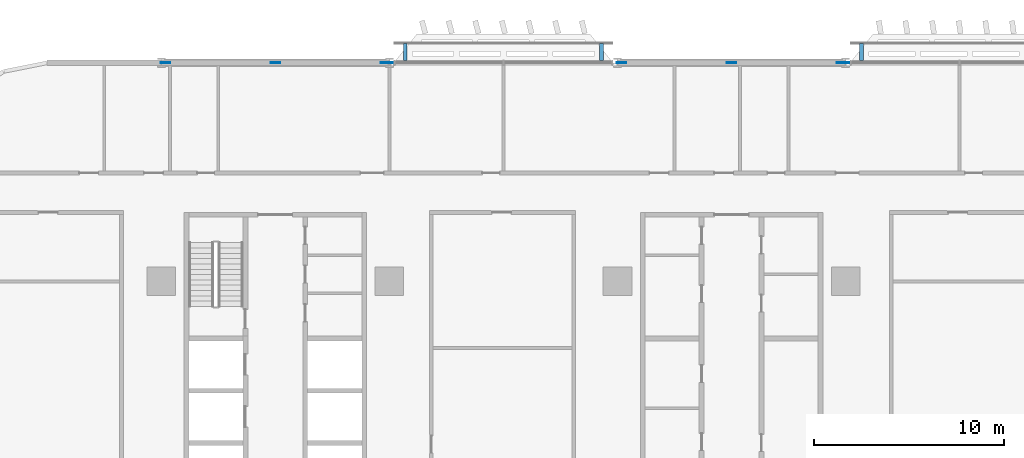
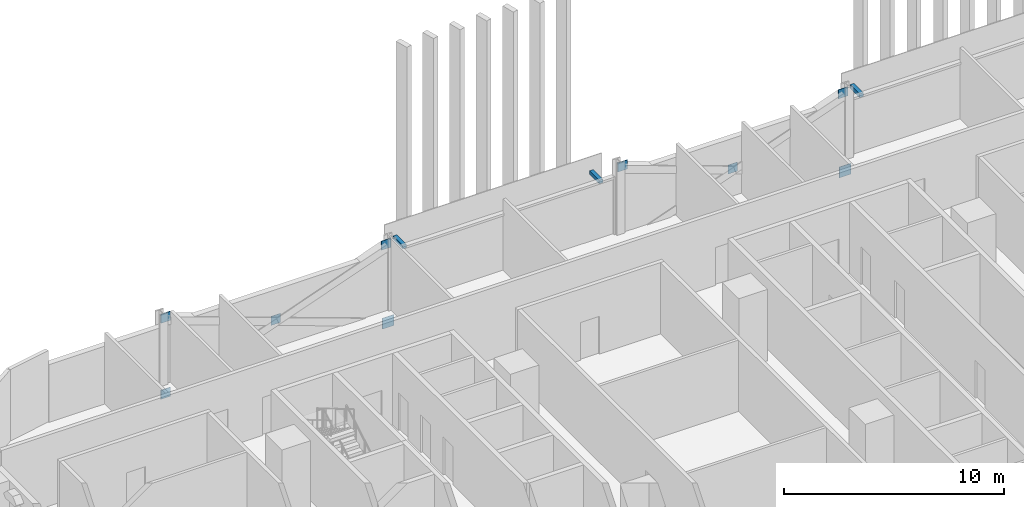
# One storey, part 18 of 29: 12 discrete accessories.
"""IFC4 building model written with IfcOpenShell, lengths in metres."""

from ifc_helpers import new_model, si_unit, direction, frame, origin, origin_2d, place, context, subcontext, project, spatial, rectangle, extrude, material, layer, layer_set, type_object, element, save


model = new_model("IFC4")

# Units and contexts
model_context = context("Model", 3, precision=1e-05, world=origin(), true_north=direction((0.0, 1.0)))
body_context = subcontext(model_context, "Body", "Model", "MODEL_VIEW")
ifc_project = project(units=[si_unit("LENGTHUNIT", "METRE"), si_unit("AREAUNIT", "SQUARE_METRE"), si_unit("VOLUMEUNIT", "CUBIC_METRE"), si_unit("PLANEANGLEUNIT", "RADIAN"), si_unit("MASSUNIT", "GRAM", prefix="KILO")], contexts=[model_context])

# Site, building, storey
site_placement = place(None, origin())
site = spatial("IfcSite", under=ifc_project, at=site_placement, CompositionType="ELEMENT")
building_placement = place(site_placement, origin())
building = spatial("IfcBuilding", under=site, at=building_placement, Name="Mahtab Terrace Research Tower", CompositionType="ELEMENT")
storey_placement = place(building_placement, frame((0.0, 0.0, 46.0)))
storey = spatial("IfcBuildingStorey", under=building, at=storey_placement, Name="L10", CompositionType="ELEMENT", Elevation=46.0)

# Discrete accessories
ifc_material_1 = material(Name="Black anodised aluminium", Category="aluminium")
discrete_accessory_type_1 = type_object("IfcDiscreteAccessoryType", Name="Facade bracket", PredefinedType="BRACKET", material=ifc_material_1)
for number, where, z_axis, x_axis, name in (
    (1, (6.837890625, 23.5625, 2.9033203125), (0.0, 0.0, 1.0), (-1.0, 0.0, 0.0), "Screen bracket Girih screen L10 N7"),
    (2, (-6.837890625, 23.5625, 2.9033203125), (0.0, 0.0, 1.0), (-1.0, 0.0, 0.0), "Screen bracket Girih screen L10 N9"),
    (3, (-17.162109375, 23.5625, 2.9033203125), (0.0, 0.0, 1.0), (-1.0, 0.0, 0.0), "Screen bracket Girih screen L10 N9"),
):
    element("IfcDiscreteAccessory", number, at=place(storey_placement, frame(where, z_axis=z_axis, x_axis=x_axis)), inside=storey, type_object=discrete_accessory_type_1, Name=name, PredefinedType="BRACKET", context=body_context, shape_type="SweptSolid", body=[
        extrude(rectangle(XDim=0.199951171875, YDim=0.875, at=origin_2d()), origin(), (0.0, 0.0, 1.0), 0.199951171875),
    ])
ifc_material_2 = material(Name="Steel ASTM A992 Gr 50", Category="steel")
ifc_layer_1 = layer(ifc_material_2, 0.030029296875)
ifc_layer_set_1 = layer_set([ifc_layer_1], Name="Gusset plate 500x500x30")
discrete_accessory_type_2 = type_object("IfcDiscreteAccessoryType", Name="Gusset plate 500x500x30", PredefinedType="USERDEFINED", material=ifc_layer_set_1)
for number, where, z_axis, x_axis, name in (
    (4, (-29.787841796875, 23.0, -0.892333984375), (0.0, 0.0, 1.0), (1.0, 0.0, 0.0), "Gusset plate"),
    (5, (-29.787841796875, 23.0, 3.33154296875), (0.0, 0.0, 1.0), (1.0, 0.0, 0.0), "Gusset plate"),
    (6, (-24.0, 23.0, 1.181396484375), (0.0, 0.0, 1.0), (1.0, 0.0, 0.0), "Gusset plate"),
    (7, (-18.212158203125, 23.0, 3.33154296875), (0.0, 0.0, 1.0), (1.0, 0.0, 0.0), "Gusset plate"),
    (8, (-5.787841796875, 23.0, 3.33154296875), (0.0, 0.0, 1.0), (1.0, 0.0, 0.0), "Gusset plate"),
    (9, (0.0, 23.0, 1.181396484375), (0.0, 0.0, 1.0), (1.0, 0.0, 0.0), "Gusset plate"),
    (10, (5.787841796875, 23.0, 3.33154296875), (0.0, 0.0, 1.0), (1.0, 0.0, 0.0), "Gusset plate"),
):
    element("IfcDiscreteAccessory", number, at=place(storey_placement, frame(where, z_axis=z_axis, x_axis=x_axis)), inside=storey, type_object=discrete_accessory_type_2, Name=name, ObjectType="GUSSET PLATE", PredefinedType="USERDEFINED", context=body_context, shape_type="SweptSolid", body=[
        extrude(rectangle(XDim=0.5, YDim=0.030029296875, at=origin_2d()), origin(), (0.0, 0.0, 1.0), 0.5),
    ])
ifc_layer_2 = layer(ifc_material_2, 0.030029296875)
ifc_layer_set_2 = layer_set([ifc_layer_2], Name="Gusset plate 600x600x30")
discrete_accessory_type_3 = type_object("IfcDiscreteAccessoryType", Name="Gusset plate 600x600x30", PredefinedType="USERDEFINED", material=ifc_layer_set_2)
for number, where, z_axis, x_axis, name in (
    (11, (-18.10595703125, 23.0, -1.070556640625), (0.0, 0.0, 1.0), (1.0, 0.0, 0.0), "Gusset plate"),
    (12, (5.89404296875, 23.0, -1.070556640625), (0.0, 0.0, 1.0), (1.0, 0.0, 0.0), "Gusset plate"),
):
    element("IfcDiscreteAccessory", number, at=place(storey_placement, frame(where, z_axis=z_axis, x_axis=x_axis)), inside=storey, type_object=discrete_accessory_type_3, Name=name, ObjectType="GUSSET PLATE", PredefinedType="USERDEFINED", context=body_context, shape_type="SweptSolid", body=[
        extrude(rectangle(XDim=0.60009765625, YDim=0.030029296875, at=origin_2d()), origin(), (0.0, 0.0, 1.0), 0.60009765625),
    ])

save(model, "model.ifc")
